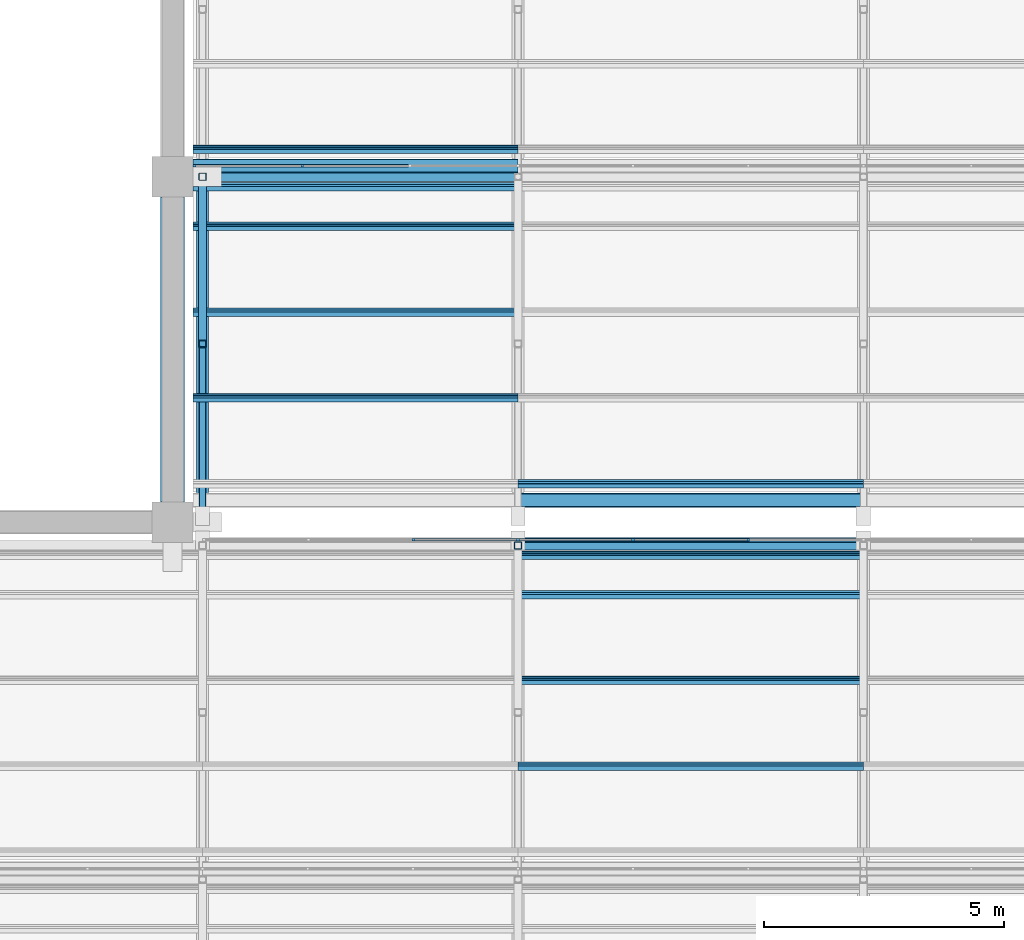
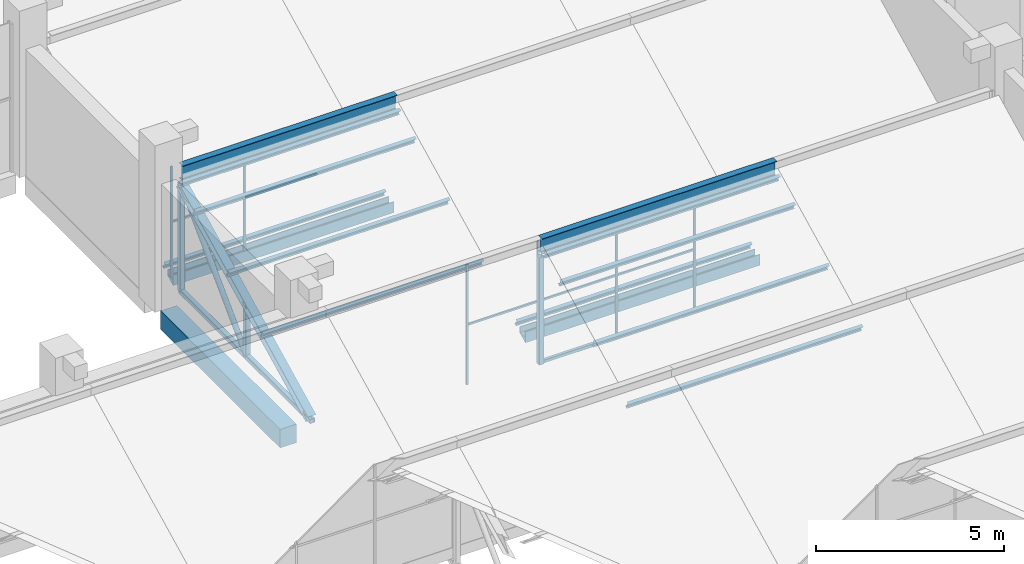
# One storey, part 17 of 83: 32 members, 1 beam, 3 elements without a shape of their own.
"""IFC4 building model written with IfcOpenShell, lengths in metres."""

from ifc_helpers import new_model, si_unit, direction, frame, origin, origin_2d, place, context, subcontext, project, spatial, polyline, rectangle, hollow_rectangle, hollow_circle, i_section, outline, extrude, material, material_profile, profile_set, type_object, element, aggregate, save


model = new_model("IFC4")

# Units and contexts
model_context = context("Model", 3, precision=1e-05, world=origin(), true_north=direction((0.0, 1.0)))
body_context = subcontext(model_context, "Body", "Model", "MODEL_VIEW")
ifc_project = project(units=[si_unit("LENGTHUNIT", "METRE"), si_unit("AREAUNIT", "SQUARE_METRE"), si_unit("VOLUMEUNIT", "CUBIC_METRE"), si_unit("PLANEANGLEUNIT", "RADIAN"), si_unit("MASSUNIT", "GRAM", prefix="KILO")], contexts=[model_context])

# Site, building, storey
site_placement = place(None, origin())
site = spatial("IfcSite", under=ifc_project, at=site_placement, CompositionType="ELEMENT")
building_placement = place(site_placement, origin())
building = spatial("IfcBuilding", under=site, at=building_placement, Name="Silangan Lancet Faculty of Sciences", CompositionType="ELEMENT")
storey_placement = place(building_placement, frame((0.0, 0.0, 11.39990234375)))
storey = spatial("IfcBuildingStorey", under=building, at=storey_placement, Name="L02", CompositionType="ELEMENT", Elevation=11.39990234375)

# Beam
ifc_material_1 = material(Name="Concrete C40/50", Category="concrete")
ifc_material_profile_1 = material_profile(ifc_material_1, rectangle(XDim=0.5, YDim=0.60009765625, at=origin_2d()), Name="RC 500x600")
ifc_profile_set_1 = profile_set([ifc_material_profile_1], Name="Concrete C40/50")
beam_type = type_object("IfcBeamType", Name="BEAM RC 500x600", PredefinedType="BEAM", material=ifc_profile_set_1)
beam_placement = place(storey_placement, frame((50.39990234375, 22.02490234375, -0.2998046875), z_axis=(0.0, 1.0, 0.0), x_axis=(-1.0, 0.0, 0.0)))
element("IfcBeam", 1, at=beam_placement, inside=storey, type_object=beam_type, Name="BM-L02-8D-8E", PredefinedType="BEAM", context=body_context, shape_type="SweptSolid", body=[
    extrude(rectangle(XDim=0.5, YDim=0.60009765625, at=origin_2d()), origin(), (0.0, 0.0, 1.0), 6.35009765625),
])

# Members
ifc_material_2 = material(Name="Steel SS400", Category="steel")
ifc_material_profile_2 = material_profile(ifc_material_2, i_section(OverallWidth=0.199951171875, OverallDepth=0.5, WebThickness=0.010009765625, FlangeThickness=0.01611328125, FilletRadius=0.02001953125, at=origin_2d()), Name="H 500x200x10x16")
ifc_profile_set_2 = profile_set([ifc_material_profile_2], Name="Steel SS400")
member_type_1 = type_object("IfcMemberType", Name="Exposed ridge beam H 500x200x10x16", PredefinedType="MEMBER", material=ifc_profile_set_2)
member_1_placement = place(storey_placement, frame((57.60009765625, 21.114990234375, 3.9326171875), z_axis=(1.0, 0.0, 0.0), x_axis=(0.0, 1.0, 0.0)))
element("IfcMember", 2, at=member_1_placement, inside=storey, type_object=member_type_1, Name="Exposed ridge beam SAB-3-5", PredefinedType="MEMBER", context=body_context, shape_type="SweptSolid", body=[
    extrude(i_section(OverallWidth=0.199951171875, OverallDepth=0.5, WebThickness=0.010009765625, FlangeThickness=0.01611328125, FilletRadius=0.02001953125, at=origin_2d()), origin(), (0.0, 0.0, 1.0), 7.199951171875),
])
member_2_placement = place(storey_placement, frame((51.02490234375, 28.800048828125, 3.93701171875), z_axis=(1.0, 0.0, 0.0), x_axis=(0.0, 1.0, 0.0)))
element("IfcMember", 3, at=member_2_placement, inside=storey, type_object=member_type_1, Name="Exposed ridge beam AUD-1-1", PredefinedType="MEMBER", context=body_context, shape_type="SweptSolid", body=[
    extrude(i_section(OverallWidth=0.199951171875, OverallDepth=0.5, WebThickness=0.010009765625, FlangeThickness=0.01611328125, FilletRadius=0.02001953125, at=origin_2d()), origin(), (0.0, 0.0, 1.0), 6.5751953125),
])
ifc_material_3 = material(Name="Steel STKR400", Category="steel")
ifc_material_profile_3 = material_profile(ifc_material_3, hollow_rectangle(XDim=0.10009765625, YDim=0.10009765625, WallThickness=0.006103515625, InnerFilletRadius=0.006103515625, OuterFilletRadius=0.011962890625, at=origin_2d()), Name="SHS 100x100x6.0")
ifc_profile_set_3 = profile_set([ifc_material_profile_3], Name="Steel STKR400")
member_type_2 = type_object("IfcMemberType", Name="Light sill SHS 100x100x6.0", PredefinedType="MEMBER", material=ifc_profile_set_3)
member_3_placement = place(storey_placement, frame((57.60009765625, 21.22998046875, 0.050048828125), z_axis=(1.0, 0.0, 0.0), x_axis=(0.0, 1.0, 0.0)))
element("IfcMember", 4, at=member_3_placement, inside=storey, type_object=member_type_2, Name="North light sill SAB-3-5", PredefinedType="MEMBER", context=body_context, shape_type="SweptSolid", body=[
    extrude(hollow_rectangle(XDim=0.10009765625, YDim=0.10009765625, WallThickness=0.006103515625, InnerFilletRadius=0.006103515625, OuterFilletRadius=0.011962890625, at=origin_2d()), origin(), (0.0, 0.0, 1.0), 7.199951171875),
])

# Curtain wall, member
ifc_material_4 = material(Name="Aluminium and laminated glass", Category="aluminium")
curtain_wall_type = type_object("IfcCurtainWallType", Name="North light glazing system", PredefinedType="NOTDEFINED", material=ifc_material_4)
curtain_wall_1_placement = place(storey_placement, origin())
curtain_wall_1 = element("IfcCurtainWall", 5, at=curtain_wall_1_placement, inside=storey, type_object=curtain_wall_type, Name="North light glazing SAB-3-4", PredefinedType="NOTDEFINED")
ifc_material_5 = material(Name="Aluminium 6063-T6", Category="aluminium")
ifc_material_profile_4 = material_profile(ifc_material_5, rectangle(XDim=0.06005859375, YDim=0.050048828125, at=origin_2d()), Name="AL 60x50")
ifc_profile_set_4 = profile_set([ifc_material_profile_4], Name="Aluminium 6063-T6")
member_type_3 = type_object("IfcMemberType", Name="North light mullion 60x50", PredefinedType="MULLION", material=ifc_profile_set_4)
member_4_placement = place(storey_placement, frame((55.418212890625, 21.22998046875, 0.10009765625), z_axis=(0.0, 0.0, 1.0), x_axis=(1.0, 0.0, 0.0)))
member_4 = element("IfcMember", 6, at=member_4_placement, type_object=member_type_3, Name="North light mullion SAB-3-4 3", PredefinedType="MULLION", context=body_context, shape_type="SweptSolid", body=[
    extrude(rectangle(XDim=0.06005859375, YDim=0.050048828125, at=origin_2d()), origin(), (0.0, 0.0, 1.0), 3.884033203125),
])

# Curtain wall, members
curtain_wall_2_placement = place(storey_placement, origin())
curtain_wall_2 = element("IfcCurtainWall", 7, at=curtain_wall_2_placement, inside=storey, type_object=curtain_wall_type, Name="North light glazing SAB-3-5", PredefinedType="NOTDEFINED")
member_5_placement = place(storey_placement, frame((57.60009765625, 21.22998046875, 0.10009765625), z_axis=(0.0, 0.0, 1.0), x_axis=(1.0, 0.0, 0.0)))
member_5 = element("IfcMember", 8, at=member_5_placement, type_object=member_type_3, Name="North light mullion SAB-3-5 1", PredefinedType="MULLION", context=body_context, shape_type="SweptSolid", body=[
    extrude(rectangle(XDim=0.06005859375, YDim=0.050048828125, at=origin_2d()), origin(), (0.0, 0.0, 1.0), 3.884033203125),
])
member_6_placement = place(storey_placement, frame((60.0, 21.22998046875, 0.10009765625), z_axis=(0.0, 0.0, 1.0), x_axis=(1.0, 0.0, 0.0)))
member_6 = element("IfcMember", 9, at=member_6_placement, type_object=member_type_3, Name="North light mullion SAB-3-5 2", PredefinedType="MULLION", context=body_context, shape_type="SweptSolid", body=[
    extrude(rectangle(XDim=0.06005859375, YDim=0.050048828125, at=origin_2d()), origin(), (0.0, 0.0, 1.0), 3.884033203125),
])
member_7_placement = place(storey_placement, frame((62.39990234375, 21.22998046875, 0.10009765625), z_axis=(0.0, 0.0, 1.0), x_axis=(1.0, 0.0, 0.0)))
member_7 = element("IfcMember", 10, at=member_7_placement, type_object=member_type_3, Name="North light mullion SAB-3-5 3", PredefinedType="MULLION", context=body_context, shape_type="SweptSolid", body=[
    extrude(rectangle(XDim=0.06005859375, YDim=0.050048828125, at=origin_2d()), origin(), (0.0, 0.0, 1.0), 3.884033203125),
])

curtain_wall_3_placement = place(storey_placement, origin())
curtain_wall_3 = element("IfcCurtainWall", 11, at=curtain_wall_3_placement, inside=storey, type_object=curtain_wall_type, Name="North light glazing AUD-1-1", PredefinedType="NOTDEFINED")
member_8_placement = place(storey_placement, frame((50.85498046875, 29.02490234375, 0.4423828125), z_axis=(0.0, 0.0, 1.0), x_axis=(1.0, 0.0, 0.0)))
member_8 = element("IfcMember", 12, at=member_8_placement, type_object=member_type_3, Name="North light mullion AUD-1-1 1", PredefinedType="MULLION", context=body_context, shape_type="SweptSolid", body=[
    extrude(rectangle(XDim=0.06005859375, YDim=0.050048828125, at=origin_2d()), origin(), (0.0, 0.0, 1.0), 3.60205078125),
])
member_9_placement = place(storey_placement, frame((53.103271484375, 29.02490234375, 0.4423828125), z_axis=(0.0, 0.0, 1.0), x_axis=(1.0, 0.0, 0.0)))
member_9 = element("IfcMember", 13, at=member_9_placement, type_object=member_type_3, Name="North light mullion AUD-1-1 2", PredefinedType="MULLION", context=body_context, shape_type="SweptSolid", body=[
    extrude(rectangle(XDim=0.06005859375, YDim=0.050048828125, at=origin_2d()), origin(), (0.0, 0.0, 1.0), 3.60205078125),
])

# Member
ifc_material_6 = material(Name="Aluminium 6063-T6", Category="aluminium")
ifc_material_profile_5 = material_profile(ifc_material_6, rectangle(XDim=0.050048828125, YDim=0.06005859375, at=origin_2d()), Name="AL 50x60")
ifc_profile_set_5 = profile_set([ifc_material_profile_5], Name="Aluminium 6063-T6")
member_type_4 = type_object("IfcMemberType", Name="North light transom 50x60", PredefinedType="USERDEFINED", material=ifc_profile_set_5)
member_10_placement = place(storey_placement, frame((55.4482421875, 21.22998046875, 2.0419921875), z_axis=(1.0, 0.0, 0.0), x_axis=(0.0, 1.0, 0.0)))
member_10 = element("IfcMember", 14, at=member_10_placement, type_object=member_type_4, Name="North light transom SAB-3-4 3", ObjectType="TRANSOM", PredefinedType="USERDEFINED", context=body_context, shape_type="SweptSolid", body=[
    extrude(rectangle(XDim=0.050048828125, YDim=0.06005859375, at=origin_2d()), origin(), (0.0, 0.0, 1.0), 2.121826171875),
])

aggregate(curtain_wall_1, [member_4, member_10])

member_11_placement = place(storey_placement, frame((57.6298828125, 21.22998046875, 2.0419921875), z_axis=(1.0, 0.0, 0.0), x_axis=(0.0, 1.0, 0.0)))
member_11 = element("IfcMember", 15, at=member_11_placement, type_object=member_type_4, Name="North light transom SAB-3-5 1", ObjectType="TRANSOM", PredefinedType="USERDEFINED", context=body_context, shape_type="SweptSolid", body=[
    extrude(rectangle(XDim=0.050048828125, YDim=0.06005859375, at=origin_2d()), origin(), (0.0, 0.0, 1.0), 2.340087890625),
])

member_12_placement = place(storey_placement, frame((60.030029296875, 21.22998046875, 2.0419921875), z_axis=(1.0, 0.0, 0.0), x_axis=(0.0, 1.0, 0.0)))
member_12 = element("IfcMember", 16, at=member_12_placement, type_object=member_type_4, Name="North light transom SAB-3-5 2", ObjectType="TRANSOM", PredefinedType="USERDEFINED", context=body_context, shape_type="SweptSolid", body=[
    extrude(rectangle(XDim=0.050048828125, YDim=0.06005859375, at=origin_2d()), origin(), (0.0, 0.0, 1.0), 2.340087890625),
])

aggregate(curtain_wall_2, [member_5, member_6, member_7, member_11, member_12])

member_13_placement = place(storey_placement, frame((50.824951171875, 29.02490234375, 2.243408203125), z_axis=(1.0, 0.0, 0.0), x_axis=(0.0, 1.0, 0.0)))
member_13 = element("IfcMember", 17, at=member_13_placement, type_object=member_type_4, Name="North light transom AUD-1-1 1", ObjectType="TRANSOM", PredefinedType="USERDEFINED", context=body_context, shape_type="SweptSolid", body=[
    extrude(rectangle(XDim=0.050048828125, YDim=0.06005859375, at=origin_2d()), origin(), (0.0, 0.0, 1.0), 2.248291015625),
])

member_14_placement = place(storey_placement, frame((53.13330078125, 29.02490234375, 2.243408203125), z_axis=(1.0, 0.0, 0.0), x_axis=(0.0, 1.0, 0.0)))
member_14 = element("IfcMember", 18, at=member_14_placement, type_object=member_type_4, Name="North light transom AUD-1-1 2", ObjectType="TRANSOM", PredefinedType="USERDEFINED", context=body_context, shape_type="SweptSolid", body=[
    extrude(rectangle(XDim=0.050048828125, YDim=0.06005859375, at=origin_2d()), origin(), (0.0, 0.0, 1.0), 2.1884765625),
])

aggregate(curtain_wall_3, [member_8, member_9, member_13, member_14])

# Members
ifc_material_7 = material(Name="Steel SS400", Category="steel")
ifc_material_profile_6 = material_profile(ifc_material_7, i_section(OverallWidth=0.10009765625, OverallDepth=0.199951171875, WebThickness=0.005615234375, FlangeThickness=0.008056640625, FilletRadius=0.008056640625, at=origin_2d()), Name="H 200x100x5.5x8")
ifc_profile_set_6 = profile_set([ifc_material_profile_6], Name="Steel SS400")
member_type_5 = type_object("IfcMemberType", Name="Sheeting purlin H 200x100x5.5x8", PredefinedType="PURLIN", material=ifc_profile_set_6)
for number, where, z_axis, x_axis, name in (
    (19, (57.60009765625, 16.512451171875, 1.526123046875), (1.0, 0.0, 0.0), (0.0, 0.894427192382, 0.447213592736), "Sheeting purlin SAB-3-5 2"),
    (20, (57.60009765625, 18.30126953125, 2.420654296875), (1.0, 0.0, 0.0), (0.0, 0.894427192382, 0.447213592736), "Sheeting purlin SAB-3-5 3"),
    (21, (57.60009765625, 20.090087890625, 3.31494140625), (1.0, 0.0, 0.0), (0.0, 0.894427192382, 0.447213592736), "Sheeting purlin SAB-3-5 4"),
    (22, (57.60009765625, 20.906982421875, 3.723388671875), (1.0, 0.0, 0.0), (0.0, 0.894427192382, 0.447213592736), "Sheeting purlin SAB-3-5 5"),
):
    element("IfcMember", number, at=place(storey_placement, frame(where, z_axis=z_axis, x_axis=x_axis)), inside=storey, type_object=member_type_5, Name=name, PredefinedType="PURLIN", context=body_context, shape_type="SweptSolid", body=[
        extrude(i_section(OverallWidth=0.10009765625, OverallDepth=0.199951171875, WebThickness=0.005615234375, FlangeThickness=0.008056640625, FilletRadius=0.008056640625, at=origin_2d()), origin(), (0.0, 0.0, 1.0), 7.199951171875),
    ])
for number, where, z_axis, x_axis, name in (
    (23, (50.824951171875, 24.189208984375, 1.526123046875), (1.0, 0.0, 0.0), (0.0, 0.894427192382, 0.447213592736), "Sheeting purlin AUD-1-1 2"),
    (24, (50.824951171875, 25.977783203125, 2.420654296875), (1.0, 0.0, 0.0), (0.0, 0.894427192382, 0.447213592736), "Sheeting purlin AUD-1-1 3"),
    (25, (50.824951171875, 27.766845703125, 3.31494140625), (1.0, 0.0, 0.0), (0.0, 0.894427192382, 0.447213592736), "Sheeting purlin AUD-1-1 4"),
    (26, (50.824951171875, 28.592041015625, 3.727783203125), (1.0, 0.0, 0.0), (0.0, 0.894427192382, 0.447213592736), "Sheeting purlin AUD-1-1 5"),
    (27, (50.824951171875, 29.3701171875, 0.6318359375), (1.0, 0.0, 0.0), (0.0, 0.894427192382, 0.447213592736), "Sheeting purlin AUD-2-1 1"),
):
    element("IfcMember", number, at=place(storey_placement, frame(where, z_axis=z_axis, x_axis=x_axis)), inside=storey, type_object=member_type_5, Name=name, PredefinedType="PURLIN", context=body_context, shape_type="SweptSolid", body=[
        extrude(i_section(OverallWidth=0.10009765625, OverallDepth=0.199951171875, WebThickness=0.005615234375, FlangeThickness=0.008056640625, FilletRadius=0.008056640625, at=origin_2d()), origin(), (0.0, 0.0, 1.0), 6.775146484375),
    ])
member_15_placement = place(storey_placement, frame((57.60009765625, 22.400146484375, 0.6318359375), z_axis=(1.0, 0.0, 0.0), x_axis=(0.0, 0.894427192382, 0.447213592736)))
element("IfcMember", 28, at=member_15_placement, inside=storey, type_object=member_type_5, Name="Sheeting purlin AUD-1-2 1", PredefinedType="PURLIN", context=body_context, shape_type="SweptSolid", body=[
    extrude(i_section(OverallWidth=0.10009765625, OverallDepth=0.199951171875, WebThickness=0.005615234375, FlangeThickness=0.008056640625, FilletRadius=0.008056640625, at=origin_2d()), origin(), (0.0, 0.0, 1.0), 7.199951171875),
])
ifc_material_8 = material(Name="Steel STKR400", Category="steel")
ifc_material_profile_7 = material_profile(ifc_material_8, hollow_rectangle(XDim=0.14990234375, YDim=0.14990234375, WallThickness=0.009033203125, InnerFilletRadius=0.009033203125, OuterFilletRadius=0.01806640625, at=origin_2d()), Name="SHS 150x150x9.0")
ifc_profile_set_7 = profile_set([ifc_material_profile_7], Name="Steel STKR400")
member_type_6 = type_object("IfcMemberType", Name="Truss bottom chord SHS 150x150x9.0", PredefinedType="CHORD", material=ifc_profile_set_7)
member_16_placement = place(storey_placement, frame((51.02490234375, 21.830078125, 0.09521484375), z_axis=(0.0, 1.0, 0.0), x_axis=(-1.0, 0.0, 0.0)))
element("IfcMember", 29, at=member_16_placement, inside=storey, type_object=member_type_6, Name="Truss 1 bottom chord 1", PredefinedType="CHORD", context=body_context, shape_type="SweptSolid", body=[
    extrude(hollow_rectangle(XDim=0.14990234375, YDim=0.14990234375, WallThickness=0.009033203125, InnerFilletRadius=0.009033203125, OuterFilletRadius=0.01806640625, at=origin_2d()), origin(), (0.0, 0.0, 1.0), 6.969970703125),
])
ifc_material_9 = material(Name="Steel STK400", Category="steel")
ifc_material_profile_8 = material_profile(ifc_material_9, hollow_circle(Radius=0.08251953125, WallThickness=0.0048828125, at=origin_2d()), Name="CHS 165.2x5.0")
ifc_profile_set_8 = profile_set([ifc_material_profile_8], Name="Steel STK400")
member_type_7 = type_object("IfcMemberType", Name="Truss diagonal CHS 165.2x5.0", PredefinedType="BRACE", material=ifc_profile_set_8)
member_17_placement = place(storey_placement, frame((51.02490234375, 25.31494140625, 0.09521484375), z_axis=(0.0, 0.707131548933, 0.707082012572), x_axis=(-1.0, 0.0, 0.0)))
element("IfcMember", 30, at=member_17_placement, inside=storey, type_object=member_type_7, Name="Truss 1 diagonal 1", PredefinedType="BRACE", context=body_context, shape_type="SweptSolid", body=[
    extrude(hollow_circle(Radius=0.08251953125, WallThickness=0.0048828125, at=origin_2d()), origin(), (0.0, 0.0, 1.0), 4.928466796875),
])
ifc_material_10 = material(Name="Steel STKR400", Category="steel")
ifc_material_profile_9 = material_profile(ifc_material_10, hollow_rectangle(XDim=0.14990234375, YDim=0.14990234375, WallThickness=0.006103515625, InnerFilletRadius=0.006103515625, OuterFilletRadius=0.011962890625, at=origin_2d()), Name="SHS 150x150x6.0")
ifc_profile_set_9 = profile_set([ifc_material_profile_9], Name="Steel STKR400")
member_type_8 = type_object("IfcMemberType", Name="Truss post SHS 150x150x6.0", PredefinedType="POST", material=ifc_profile_set_9)
member_18_placement = place(storey_placement, frame((57.60009765625, 21.114990234375, 0.09521484375), z_axis=(0.0, 0.0, 1.0), x_axis=(1.0, 0.0, 0.0)))
element("IfcMember", 31, at=member_18_placement, inside=storey, type_object=member_type_8, Name="Truss 5 riser post 3", PredefinedType="POST", context=body_context, shape_type="SweptSolid", body=[
    extrude(hollow_rectangle(XDim=0.14990234375, YDim=0.14990234375, WallThickness=0.006103515625, InnerFilletRadius=0.006103515625, OuterFilletRadius=0.011962890625, at=origin_2d()), origin(), (0.0, 0.0, 1.0), 3.480712890625),
])
member_19_placement = place(storey_placement, frame((51.02490234375, 28.800048828125, 0.09521484375), z_axis=(0.0, 0.0, 1.0), x_axis=(1.0, 0.0, 0.0)))
element("IfcMember", 32, at=member_19_placement, inside=storey, type_object=member_type_8, Name="Truss 1 riser post 1", PredefinedType="POST", context=body_context, shape_type="SweptSolid", body=[
    extrude(hollow_rectangle(XDim=0.14990234375, YDim=0.14990234375, WallThickness=0.006103515625, InnerFilletRadius=0.006103515625, OuterFilletRadius=0.011962890625, at=origin_2d()), origin(), (0.0, 0.0, 1.0), 3.48486328125),
])
member_20_placement = place(storey_placement, frame((51.02490234375, 25.31494140625, 0.09521484375), z_axis=(0.0, 0.0, 1.0), x_axis=(1.0, 0.0, 0.0)))
element("IfcMember", 33, at=member_20_placement, inside=storey, type_object=member_type_8, Name="Truss 1 mid post 1", PredefinedType="POST", context=body_context, shape_type="SweptSolid", body=[
    extrude(hollow_rectangle(XDim=0.14990234375, YDim=0.14990234375, WallThickness=0.006103515625, InnerFilletRadius=0.006103515625, OuterFilletRadius=0.011962890625, at=origin_2d()), origin(), (0.0, 0.0, 1.0), 1.742431640625),
])
ifc_material_11 = material(Name="Steel SS400", Category="steel")
ifc_material_profile_10 = material_profile(ifc_material_11, i_section(OverallWidth=0.25, OverallDepth=0.25, WebThickness=0.009033203125, FlangeThickness=0.013916015625, FilletRadius=0.01611328125, at=origin_2d()), Name="H 250x250x9x14")
ifc_profile_set_10 = profile_set([ifc_material_profile_10], Name="Steel SS400")
member_type_9 = type_object("IfcMemberType", Name="Truss top chord H 250x250x9x14", PredefinedType="CHORD", material=ifc_profile_set_10)
member_21_placement = place(storey_placement, frame((51.02490234375, 21.910400390625, 0.13525390625), z_axis=(0.0, 0.894427191, 0.4472135955), x_axis=(-1.0, 0.0, 0.0)))
element("IfcMember", 34, at=member_21_placement, inside=storey, type_object=member_type_9, Name="Truss 1 top chord 1", PredefinedType="CHORD", context=body_context, shape_type="SweptSolid", body=[
    extrude(i_section(OverallWidth=0.25, OverallDepth=0.25, WebThickness=0.009033203125, FlangeThickness=0.013916015625, FilletRadius=0.01611328125, at=origin_2d()), origin(), (0.0, 0.0, 1.0), 7.702880859375),
])
ifc_material_12 = material(Name="Stainless steel", Category="steel")
ifc_material_profile_11 = material_profile(ifc_material_12, outline(polyline([(-0.14990234375, 0.0), (0.14990234375, 0.14990234375), (0.14990234375, 0.35009765625), (0.1298828125, 0.35009765625), (0.1298828125, 0.169921875), (-0.1298828125, 0.169921875), (-0.1298828125, 0.35009765625), (-0.14990234375, 0.35009765625), (-0.14990234375, 0.0)])), Name="valley gutter")
ifc_profile_set_11 = profile_set([ifc_material_profile_11], Name="Stainless steel")
member_type_10 = type_object("IfcMemberType", Name="Valley gutter 300 wide", PredefinedType="USERDEFINED", material=ifc_profile_set_11)
member_22_placement = place(storey_placement, frame((50.824951171875, 29.02490234375, 0.2724609375), z_axis=(1.0, 0.0, 0.0), x_axis=(0.0, 1.0, 0.0)))
element("IfcMember", 35, at=member_22_placement, inside=storey, type_object=member_type_10, Name="Valley gutter AUD-2-1", ObjectType="GUTTER", PredefinedType="USERDEFINED", context=body_context, shape_type="SweptSolid", body=[
    extrude(outline(polyline([(-0.14990234375, 0.0), (0.14990234375, 0.14990234375), (0.14990234375, 0.35009765625), (0.1298828125, 0.35009765625), (0.1298828125, 0.169921875), (-0.1298828125, 0.169921875), (-0.1298828125, 0.35009765625), (-0.14990234375, 0.35009765625), (-0.14990234375, 0.0)])), origin(), (0.0, 0.0, 1.0), 6.775146484375),
])
member_23_placement = place(storey_placement, frame((57.60009765625, 22.054931640625, 0.2724609375), z_axis=(1.0, 0.0, 0.0), x_axis=(0.0, 1.0, 0.0)))
element("IfcMember", 36, at=member_23_placement, inside=storey, type_object=member_type_10, Name="Valley gutter AUD-1-2", ObjectType="GUTTER", PredefinedType="USERDEFINED", context=body_context, shape_type="SweptSolid", body=[
    extrude(outline(polyline([(-0.14990234375, 0.0), (0.14990234375, 0.14990234375), (0.14990234375, 0.35009765625), (0.1298828125, 0.35009765625), (0.1298828125, 0.169921875), (-0.1298828125, 0.169921875), (-0.1298828125, 0.35009765625), (-0.14990234375, 0.35009765625), (-0.14990234375, 0.0)])), origin(), (0.0, 0.0, 1.0), 7.199951171875),
])

save(model, "model.ifc")
